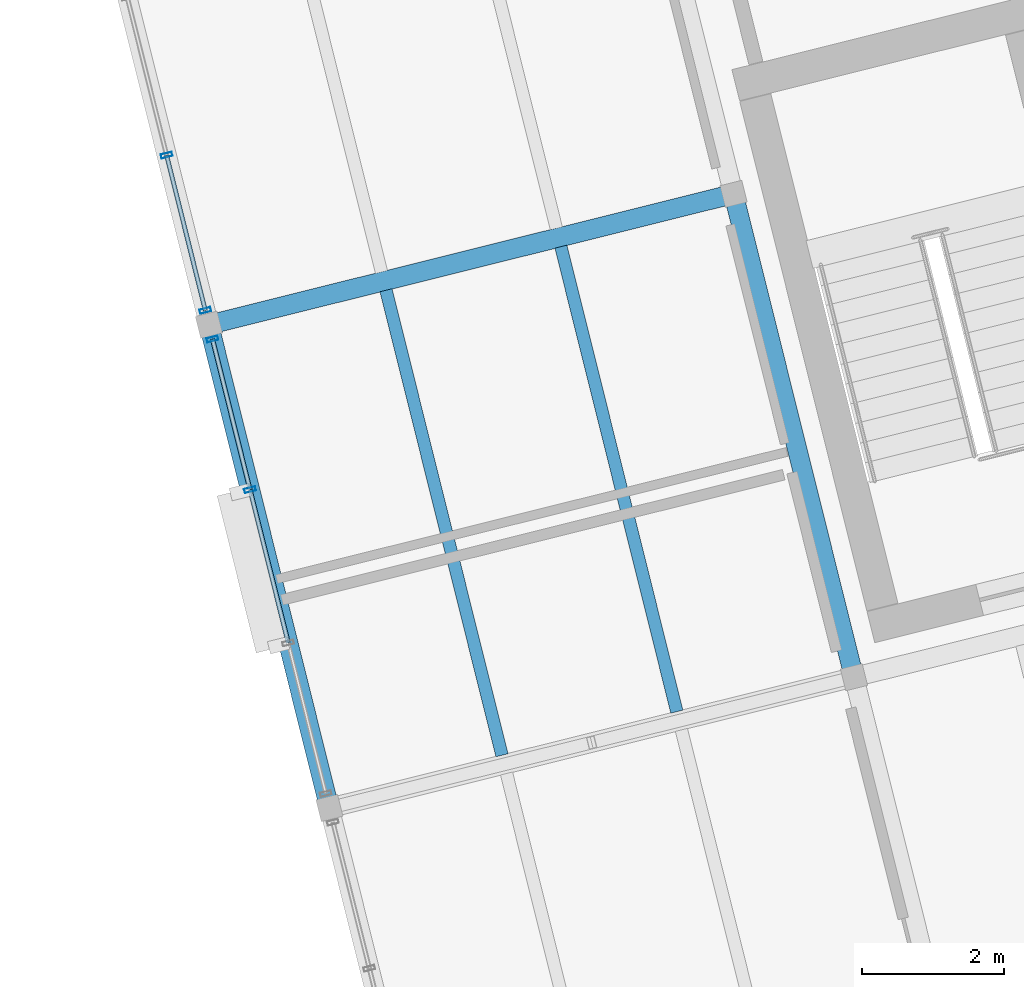
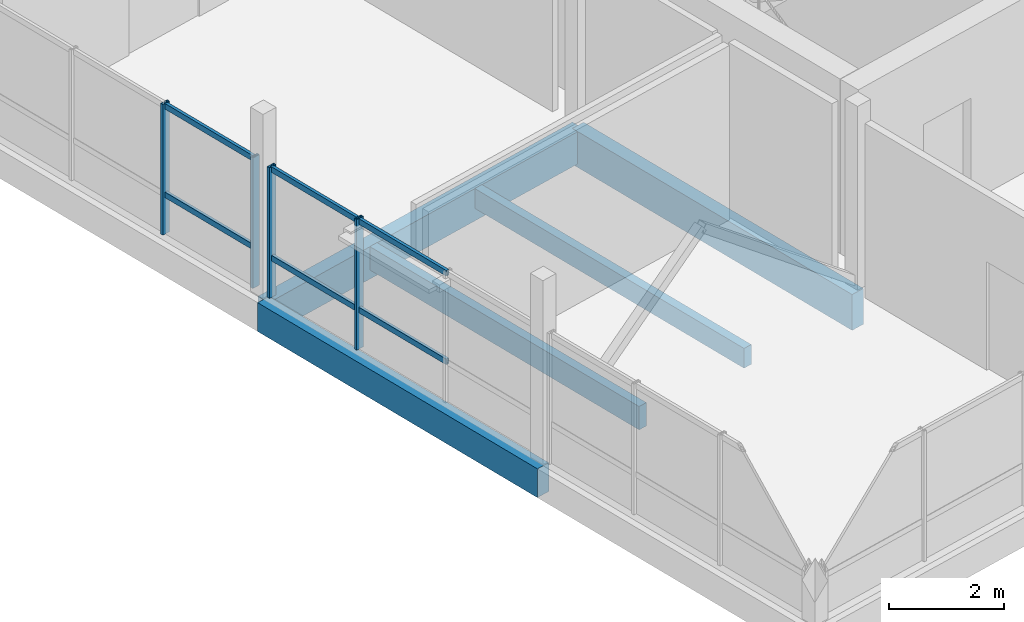
# One storey, part 4 of 25: 10 members, 5 beams, 2 elements without a shape of their own.
"""IFC4 building model written with IfcOpenShell, lengths in metres."""

from ifc_helpers import new_model, si_unit, direction, frame, origin, origin_2d, place, context, subcontext, project, spatial, rectangle, hollow_rectangle, extrude, material, layer, layer_set, material_profile, profile_set, type_object, element, aggregate, save


model = new_model("IFC4")

# Units and contexts
model_context = context("Model", 3, precision=1e-05, world=origin(), true_north=direction((0.0, 1.0)))
body_context = subcontext(model_context, "Body", "Model", "MODEL_VIEW")
ifc_project = project(units=[si_unit("LENGTHUNIT", "METRE"), si_unit("AREAUNIT", "SQUARE_METRE"), si_unit("VOLUMEUNIT", "CUBIC_METRE"), si_unit("PLANEANGLEUNIT", "RADIAN"), si_unit("MASSUNIT", "GRAM", prefix="KILO")], contexts=[model_context])

# Site, building, storey
site_placement = place(None, origin())
site = spatial("IfcSite", under=ifc_project, at=site_placement, CompositionType="ELEMENT")
building_placement = place(site_placement, origin())
building = spatial("IfcBuilding", under=site, at=building_placement, Name="Meriwether Solvik Hall", CompositionType="ELEMENT")
storey_placement = place(building_placement, frame((0.0, 0.0, 53.39990234375)))
storey = spatial("IfcBuildingStorey", under=building, at=storey_placement, Name="L13", CompositionType="ELEMENT", Elevation=53.39990234375)

# Beams
ifc_material_1 = material(Name="Glulam Douglas-Fir 24F-V8 GL28h", Category="wood")
ifc_material_profile_1 = material_profile(ifc_material_1, rectangle(XDim=0.27294921875, YDim=0.610107421875, at=origin_2d()), Name="GLB-273X610")
ifc_profile_set_1 = profile_set([ifc_material_profile_1], Name="Glulam Douglas-Fir 24F-V8 GL28h")
beam_type_1 = type_object("IfcBeamType", Name="BM-GL-273X610", PredefinedType="SPANDREL", material=ifc_profile_set_1)
beam_1_placement = place(storey_placement, frame((66.954833984375, 47.798095703125, -0.48486328125), z_axis=(-0.241911879182, 0.970298223594, 0.0), x_axis=(-0.970298223594, -0.241911879182, 0.0)))
element("IfcBeam", 1, at=beam_1_placement, inside=storey, type_object=beam_type_1, Name="Tower Girder T1:TB-TC (L13)", PredefinedType="SPANDREL", context=body_context, shape_type="SweptSolid", body=[
    extrude(rectangle(XDim=0.27294921875, YDim=0.610107421875, at=origin_2d()), origin(), (0.0, 0.0, 1.0), 7.0),
])
ifc_material_2 = material(Name="Glulam Douglas-Fir 24F-V8 GL28h", Category="wood")
ifc_material_profile_2 = material_profile(ifc_material_2, rectangle(XDim=0.27294921875, YDim=0.68505859375, at=origin_2d()), Name="GLB-273X685")
ifc_profile_set_2 = profile_set([ifc_material_profile_2], Name="Glulam Douglas-Fir 24F-V8 GL28h")
beam_type_2 = type_object("IfcBeamType", Name="BM-GL-273X685", PredefinedType="BEAM", material=ifc_profile_set_2)
beam_2_placement = place(storey_placement, frame((65.261474609375, 54.590087890625, -0.5224609375), z_axis=(0.970295366785, 0.241923337436, 0.0), x_axis=(-0.241923337436, 0.970295366785, 0.0)))
element("IfcBeam", 2, at=beam_2_placement, inside=storey, type_object=beam_type_2, Name="Tower Girder TC:T1-T2 (L13)", PredefinedType="BEAM", context=body_context, shape_type="SweptSolid", body=[
    extrude(rectangle(XDim=0.27294921875, YDim=0.68505859375, at=origin_2d()), origin(), (0.0, 0.0, 1.0), 7.60009765625),
])
ifc_material_3 = material(Name="Glulam Douglas-Fir 24F-V8 GL28h", Category="wood")
ifc_material_profile_3 = material_profile(ifc_material_3, rectangle(XDim=0.27294921875, YDim=0.760009765625, at=origin_2d()), Name="GLB-273X760")
ifc_profile_set_3 = profile_set([ifc_material_profile_3], Name="Glulam Douglas-Fir 24F-V8 GL28h")
beam_type_3 = type_object("IfcBeamType", Name="BM-GL-273X760", PredefinedType="BEAM", material=ifc_profile_set_3)
beam_3_placement = place(storey_placement, frame((74.3291015625, 49.63671875, -0.559814453125), z_axis=(-0.241911879182, 0.970298223594, 0.0), x_axis=(-0.970298223594, -0.241911879182, 0.0)))
element("IfcBeam", 3, at=beam_3_placement, inside=storey, type_object=beam_type_3, Name="Tower Girder T2:TB-TC (L13)", PredefinedType="BEAM", context=body_context, shape_type="SweptSolid", body=[
    extrude(rectangle(XDim=0.27294921875, YDim=0.760009765625, at=origin_2d()), origin(), (0.0, 0.0, 1.0), 7.0),
])

# Curtain wall, members
ifc_material_4 = material(Name="Thermally Broken Anodised Aluminium 6063-T6 and Low-E Glass", Category="aluminium")
ifc_layer_1 = layer(ifc_material_4, 0.179931640625)
ifc_layer_set_1 = layer_set([ifc_layer_1], Name="Thermally Broken Anodised Aluminium 6063-T6 and Low-E Glass")
curtain_wall_type_1 = type_object("IfcCurtainWallType", Name="CW-UNIT-A", PredefinedType="USERDEFINED", material=ifc_layer_set_1)
curtain_wall_1_placement = place(storey_placement, origin())
curtain_wall_1 = element("IfcCurtainWall", 4, at=curtain_wall_1_placement, inside=storey, type_object=curtain_wall_type_1, Name="Curtain Wall E3_B1 (L13)", ObjectType="UNITISED CURTAIN WALL", PredefinedType="USERDEFINED")
ifc_material_5 = material(Name="Anodised Aluminium 6063-T6", Category="aluminium")
ifc_material_profile_4 = material_profile(ifc_material_5, hollow_rectangle(XDim=0.06005859375, YDim=0.159912109375, WallThickness=0.00390625, at=origin_2d()), Name="CWM-60X160")
ifc_profile_set_4 = profile_set([ifc_material_profile_4], Name="Anodised Aluminium 6063-T6")
member_type_1 = type_object("IfcMemberType", Name="CW-MUL-60X160", PredefinedType="MULLION", material=ifc_profile_set_4)
member_1_placement = place(storey_placement, frame((65.839599609375, 52.271240234375, 0.0), z_axis=(0.0, 0.0, 1.0), x_axis=(-0.241921784185, 0.970295754055, 0.0)))
member_1 = element("IfcMember", 5, at=member_1_placement, type_object=member_type_1, Name="Curtain Wall Mullion 3", PredefinedType="MULLION", context=body_context, shape_type="SweptSolid", body=[
    extrude(hollow_rectangle(XDim=0.06005859375, YDim=0.159912109375, WallThickness=0.00390625, at=origin_2d()), origin(), (0.0, 0.0, 1.0), 2.77001953125),
])
member_2_placement = place(storey_placement, frame((65.311767578125, 54.388671875, 0.0), z_axis=(0.0, 0.0, 1.0), x_axis=(-0.241921784185, 0.970295754055, 0.0)))
member_2 = element("IfcMember", 6, at=member_2_placement, type_object=member_type_1, Name="Curtain Wall Mullion 4", PredefinedType="MULLION", context=body_context, shape_type="SweptSolid", body=[
    extrude(hollow_rectangle(XDim=0.06005859375, YDim=0.159912109375, WallThickness=0.00390625, at=origin_2d()), origin(), (0.0, 0.0, 1.0), 2.77001953125),
])

ifc_material_6 = material(Name="Thermally Broken Anodised Aluminium 6063-T6 and Low-E Glass", Category="aluminium")
ifc_layer_2 = layer(ifc_material_6, 0.179931640625)
ifc_layer_set_2 = layer_set([ifc_layer_2], Name="Thermally Broken Anodised Aluminium 6063-T6 and Low-E Glass")
curtain_wall_type_2 = type_object("IfcCurtainWallType", Name="CW-UNIT-B", PredefinedType="USERDEFINED", material=ifc_layer_set_2)
curtain_wall_2_placement = place(storey_placement, origin())
curtain_wall_2 = element("IfcCurtainWall", 7, at=curtain_wall_2_placement, inside=storey, type_object=curtain_wall_type_2, Name="Curtain Wall E3_B2 (L13)", ObjectType="UNITISED CURTAIN WALL", PredefinedType="USERDEFINED")
member_3_placement = place(storey_placement, frame((65.211181640625, 54.79150390625, 0.0), z_axis=(0.0, 0.0, 1.0), x_axis=(-0.241921877598, 0.970295730764, 0.0)))
member_3 = element("IfcMember", 8, at=member_3_placement, type_object=member_type_1, Name="Curtain Wall Mullion 1", PredefinedType="MULLION", context=body_context, shape_type="SweptSolid", body=[
    extrude(hollow_rectangle(XDim=0.06005859375, YDim=0.159912109375, WallThickness=0.00390625, at=origin_2d()), origin(), (0.0, 0.0, 1.0), 2.77001953125),
])
member_4_placement = place(storey_placement, frame((64.667236328125, 56.9736328125, 0.0), z_axis=(0.0, 0.0, 1.0), x_axis=(-0.241921877598, 0.970295730764, 0.0)))
member_4 = element("IfcMember", 9, at=member_4_placement, type_object=member_type_1, Name="Curtain Wall Mullion 2", PredefinedType="MULLION", context=body_context, shape_type="SweptSolid", body=[
    extrude(hollow_rectangle(XDim=0.06005859375, YDim=0.159912109375, WallThickness=0.00390625, at=origin_2d()), origin(), (0.0, 0.0, 1.0), 2.77001953125),
])

# Member
ifc_material_7 = material(Name="Anodised Aluminium 6063-T6", Category="aluminium")
ifc_material_profile_5 = material_profile(ifc_material_7, hollow_rectangle(XDim=0.06005859375, YDim=0.1201171875, WallThickness=0.00390625, at=origin_2d()), Name="CWT-60X120")
ifc_profile_set_5 = profile_set([ifc_material_profile_5], Name="Anodised Aluminium 6063-T6")
member_type_2 = type_object("IfcMemberType", Name="CW-TRN-60X120", PredefinedType="USERDEFINED", material=ifc_profile_set_5)
member_5_placement = place(storey_placement, frame((66.376708984375, 50.116943359375, 0.8310546875), z_axis=(-0.241914618046, 0.970297540745, 0.0), x_axis=(-0.970297540745, -0.241914618046, 0.0)))
member_5 = element("IfcMember", 10, at=member_5_placement, type_object=member_type_2, Name="Curtain Wall Transom 2-sill", ObjectType="TRANSOM", PredefinedType="USERDEFINED", context=body_context, shape_type="SweptSolid", body=[
    extrude(hollow_rectangle(XDim=0.06005859375, YDim=0.1201171875, WallThickness=0.00390625, at=origin_2d()), origin(), (0.0, 0.0, 1.0), 2.22021484375),
])

member_6_placement = place(storey_placement, frame((66.376708984375, 50.116943359375, 2.710205078125), z_axis=(-0.241914618046, 0.970297540745, 0.0), x_axis=(-0.970297540745, -0.241914618046, 0.0)))
member_6 = element("IfcMember", 11, at=member_6_placement, type_object=member_type_2, Name="Curtain Wall Transom 2-head", ObjectType="TRANSOM", PredefinedType="USERDEFINED", context=body_context, shape_type="SweptSolid", body=[
    extrude(hollow_rectangle(XDim=0.06005859375, YDim=0.1201171875, WallThickness=0.00390625, at=origin_2d()), origin(), (0.0, 0.0, 1.0), 2.22021484375),
])

member_7_placement = place(storey_placement, frame((65.839599609375, 52.271240234375, 0.8310546875), z_axis=(-0.241877470874, 0.970306801524, 0.0), x_axis=(-0.970306801524, -0.241877470874, 0.0)))
member_7 = element("IfcMember", 12, at=member_7_placement, type_object=member_type_2, Name="Curtain Wall Transom 3-sill", ObjectType="TRANSOM", PredefinedType="USERDEFINED", context=body_context, shape_type="SweptSolid", body=[
    extrude(hollow_rectangle(XDim=0.06005859375, YDim=0.1201171875, WallThickness=0.00390625, at=origin_2d()), origin(), (0.0, 0.0, 1.0), 2.18212890625),
])

member_8_placement = place(storey_placement, frame((65.839599609375, 52.271240234375, 2.710205078125), z_axis=(-0.241877470874, 0.970306801524, 0.0), x_axis=(-0.970306801524, -0.241877470874, 0.0)))
member_8 = element("IfcMember", 13, at=member_8_placement, type_object=member_type_2, Name="Curtain Wall Transom 3-head", ObjectType="TRANSOM", PredefinedType="USERDEFINED", context=body_context, shape_type="SweptSolid", body=[
    extrude(hollow_rectangle(XDim=0.06005859375, YDim=0.1201171875, WallThickness=0.00390625, at=origin_2d()), origin(), (0.0, 0.0, 1.0), 2.18212890625),
])

aggregate(curtain_wall_1, [member_1, member_2, member_5, member_6, member_7, member_8])

member_9_placement = place(storey_placement, frame((65.211181640625, 54.79150390625, 0.8310546875), z_axis=(-0.241871437108, 0.970308305597, 0.0), x_axis=(-0.970308305597, -0.241871437108, 0.0)))
member_9 = element("IfcMember", 14, at=member_9_placement, type_object=member_type_2, Name="Curtain Wall Transom 1-sill", ObjectType="TRANSOM", PredefinedType="USERDEFINED", context=body_context, shape_type="SweptSolid", body=[
    extrude(hollow_rectangle(XDim=0.06005859375, YDim=0.1201171875, WallThickness=0.00390625, at=origin_2d()), origin(), (0.0, 0.0, 1.0), 2.2490234375),
])

member_10_placement = place(storey_placement, frame((65.211181640625, 54.79150390625, 2.710205078125), z_axis=(-0.241871437108, 0.970308305597, 0.0), x_axis=(-0.970308305597, -0.241871437108, 0.0)))
member_10 = element("IfcMember", 15, at=member_10_placement, type_object=member_type_2, Name="Curtain Wall Transom 1-head", ObjectType="TRANSOM", PredefinedType="USERDEFINED", context=body_context, shape_type="SweptSolid", body=[
    extrude(hollow_rectangle(XDim=0.06005859375, YDim=0.1201171875, WallThickness=0.00390625, at=origin_2d()), origin(), (0.0, 0.0, 1.0), 2.2490234375),
])

aggregate(curtain_wall_2, [member_3, member_4, member_9, member_10])

# Beams
ifc_material_8 = material(Name="Glulam Douglas-Fir 24F-V8 GL28h", Category="wood")
ifc_material_profile_6 = material_profile(ifc_material_8, rectangle(XDim=0.175048828125, YDim=0.419921875, at=origin_2d()), Name="GLJ-175X420")
ifc_profile_set_6 = profile_set([ifc_material_profile_6], Name="Glulam Douglas-Fir 24F-V8 GL28h")
beam_type_4 = type_object("IfcBeamType", Name="JST-GL-175X420", PredefinedType="JOIST", material=ifc_profile_set_6)
beam_4_placement = place(storey_placement, frame((71.83935546875, 49.1513671875, -0.389892578125), z_axis=(-0.241930176813, 0.9702936615, 0.0), x_axis=(-0.9702936615, -0.241930176813, 0.0)))
element("IfcBeam", 16, at=beam_4_placement, inside=storey, type_object=beam_type_4, Name="Glulam Floor Joist T1/TB-J2 (L13)", PredefinedType="JOIST", context=body_context, shape_type="SweptSolid", body=[
    extrude(rectangle(XDim=0.175048828125, YDim=0.419921875, at=origin_2d()), origin(), (0.0, 0.0, 1.0), 6.737060546875),
])
ifc_material_9 = material(Name="Glulam Douglas-Fir 24F-V8 GL28h", Category="wood")
ifc_material_profile_7 = material_profile(ifc_material_9, rectangle(XDim=0.175048828125, YDim=0.4951171875, at=origin_2d()), Name="GLJ-175X495")
ifc_profile_set_7 = profile_set([ifc_material_profile_7], Name="Glulam Douglas-Fir 24F-V8 GL28h")
beam_type_5 = type_object("IfcBeamType", Name="JST-GL-175X495", PredefinedType="JOIST", material=ifc_profile_set_7)
beam_5_placement = place(storey_placement, frame((69.381103515625, 48.53857421875, -0.427490234375), z_axis=(-0.241930176813, 0.9702936615, 0.0), x_axis=(-0.9702936615, -0.241930176813, 0.0)))
element("IfcBeam", 17, at=beam_5_placement, inside=storey, type_object=beam_type_5, Name="Glulam Floor Joist T1/TB-J1 (L13)", PredefinedType="JOIST", context=body_context, shape_type="SweptSolid", body=[
    extrude(rectangle(XDim=0.175048828125, YDim=0.4951171875, at=origin_2d()), origin(), (0.0, 0.0, 1.0), 6.737060546875),
])

save(model, "model.ifc")
